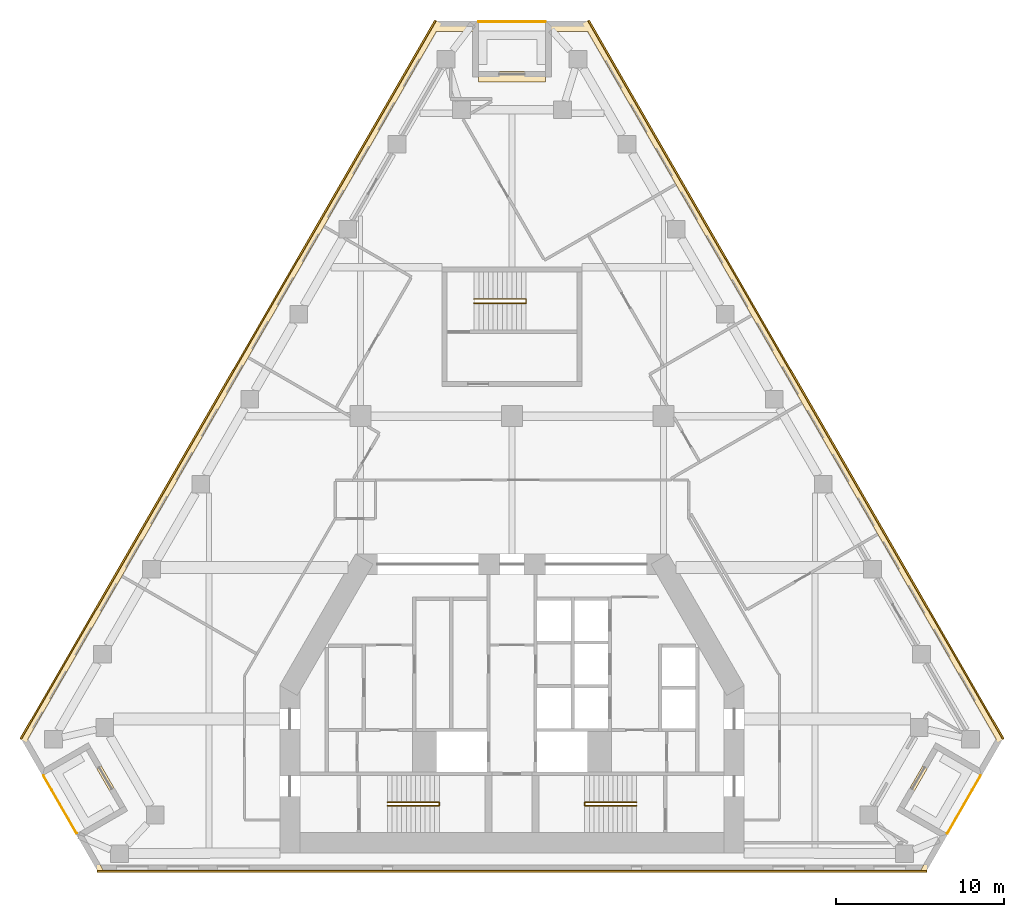
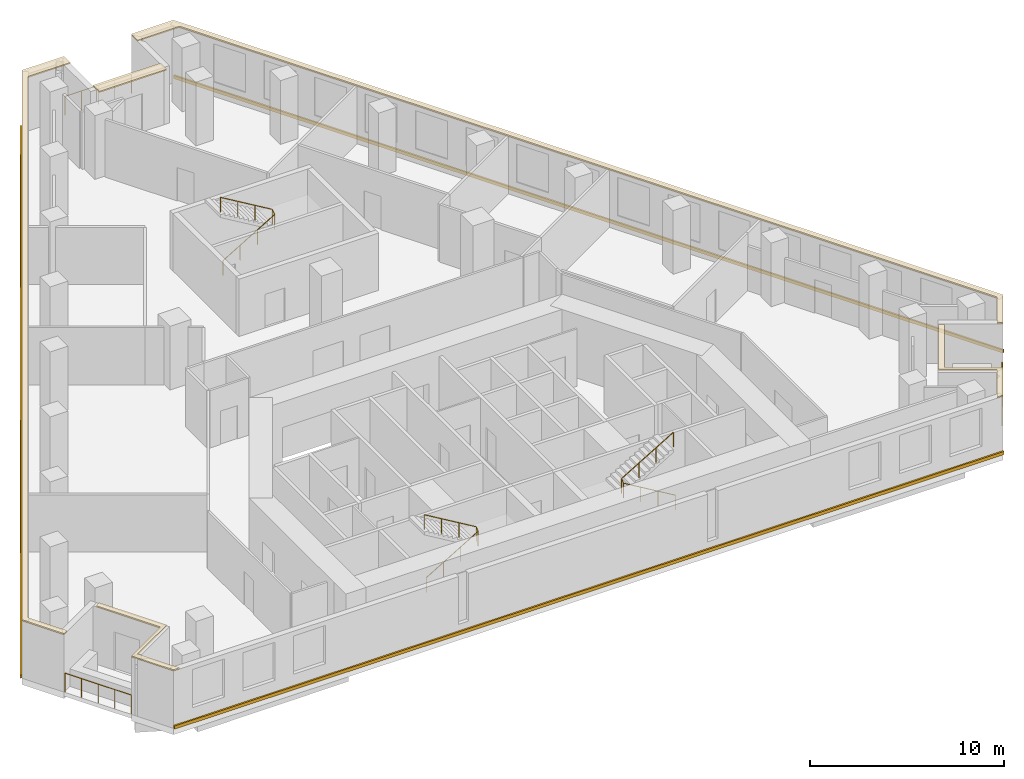
# One storey, part 9 of 9: 8 coverings, 6 railings.
"""IFC4 building model written with IfcOpenShell, lengths in metres."""

import ifcopenshell
import ifcopenshell.guid

model = None  # the IFC model being written
_history = None  # IfcOwnerHistory: only IFC2X3 demands one
_inside = {}  # id of a spatial element -> (the spatial element, [elements in it])
_under = {}  # id of a project, library or spatial element -> (it, [spatial elements below it])
_declared = {}  # id of a project -> (the project, [libraries it declares])
_typed = {}  # id of a type object -> (the type object, [elements of that type])
_made_of = {}  # id of a material, layer set ... -> (it, [elements and type objects made of it])


def new_model(schema):
    """Start an empty IFC model of exactly this schema.

    Asked for "IFC4X3", IfcOpenShell would pick the latest addendum, in which some entities
    have other attributes; the version numbers below select the first issue.
    IFC2X3 requires an IfcOwnerHistory on every rooted entity: one is made here for all.
    """
    global model, _history
    if schema == "IFC4X3":
        model = ifcopenshell.file(schema_version=(4, 3, 0, 0))
    else:
        model = ifcopenshell.file(schema=schema)
    _inside.clear()
    _under.clear()
    _declared.clear()
    _typed.clear()
    _made_of.clear()
    _history = None
    if model.schema == "IFC2X3":
        org = make("IfcOrganization", Name="unknown")
        user = make(
            "IfcPersonAndOrganization",
            ThePerson=make("IfcPerson", FamilyName="unknown"),
            TheOrganization=org,
        )
        app = make(
            "IfcApplication",
            ApplicationDeveloper=org,
            Version="unknown",
            ApplicationFullName="unknown",
            ApplicationIdentifier="unknown",
        )
        _history = make(
            "IfcOwnerHistory",
            OwningUser=user,
            OwningApplication=app,
            ChangeAction="ADDED",
            CreationDate=0,
        )
    return model


def make(cls, **values):
    """One entity of the class cls with the attributes given. An attribute that is None is left unset."""
    return model.create_entity(
        cls, **{name: value for name, value in values.items() if value is not None}
    )


def rooted(cls, **values):
    """An entity with a GlobalId (a new one), such as an element, a storey or a relation."""
    return make(cls, GlobalId=ifcopenshell.guid.new(), OwnerHistory=_history, **values)


def si_unit(unit_type, name, prefix=None):
    """IfcSIUnit, for example si_unit("LENGTHUNIT", "METRE", prefix="MILLI")."""
    return make("IfcSIUnit", UnitType=unit_type, Prefix=prefix, Name=name)


def assignment(units):
    """IfcUnitAssignment: the units of a project."""
    return None if units is None else make("IfcUnitAssignment", Units=units)


def point(xyz):
    """IfcCartesianPoint."""
    return None if xyz is None else make("IfcCartesianPoint", Coordinates=xyz)


def direction(xyz):
    """IfcDirection."""
    return None if xyz is None else make("IfcDirection", DirectionRatios=xyz)


def frame(location, z_axis=None, x_axis=None):
    """IfcAxis2Placement3D, a coordinate frame: its origin and axes. An axis left out is left unset."""
    return make(
        "IfcAxis2Placement3D",
        Location=point(location),
        Axis=direction(z_axis),
        RefDirection=direction(x_axis),
    )


def frame_2d(location, x_axis=None):
    """IfcAxis2Placement2D, a coordinate frame in the plane: its origin and x axis."""
    return make(
        "IfcAxis2Placement2D", Location=point(location), RefDirection=direction(x_axis)
    )


def origin():
    """The frame at (0, 0, 0) with its axes left unset."""
    return frame((0.0, 0.0, 0.0))


def origin_2d():
    """The frame at (0, 0) in the plane with its x axis left unset."""
    return frame_2d((0.0, 0.0))


def place(relative_to, where):
    """IfcLocalPlacement: puts the frame where relative to a parent placement (None: the world)."""
    return make(
        "IfcLocalPlacement", PlacementRelTo=relative_to, RelativePlacement=where
    )


def context(
    kind, dimensions, precision=None, world=None, true_north=None, identifier=None
):
    """IfcGeometricRepresentationContext, for example the 3D "Model" context."""
    return make(
        "IfcGeometricRepresentationContext",
        ContextIdentifier=identifier,
        ContextType=kind,
        CoordinateSpaceDimension=dimensions,
        Precision=precision,
        WorldCoordinateSystem=world,
        TrueNorth=true_north,
    )


def subcontext(parent, identifier, kind, view, scale=None):
    """IfcGeometricRepresentationSubContext, for example "Body" below "Model"."""
    return make(
        "IfcGeometricRepresentationSubContext",
        ContextIdentifier=identifier,
        ContextType=kind,
        ParentContext=parent,
        TargetScale=scale,
        TargetView=view,
    )


def project(units=None, contexts=None):
    """IfcProject with its units and contexts."""
    return rooted(
        "IfcProject",
        Name="project",
        RepresentationContexts=contexts,
        UnitsInContext=assignment(units),
    )


def spatial(cls, under=None, at=None, **own):
    """A site, building, storey or space (cls), placed at a placement, below another one or the project."""
    s = rooted(cls, ObjectPlacement=at, **own)
    if under is not None:
        _under.setdefault(under.id(), (under, []))[1].append(s)
    return s


def polyline(points):
    """IfcPolyline through the points."""
    return make("IfcPolyline", Points=[point(p) for p in points])


def profile(cls, at=None, kind="AREA", **sizes):
    """A parametric profile (cls). Its sizes go by their IFC names, for example OverallWidth=200.0."""
    return make(cls, ProfileType=kind, Position=at, **sizes)


def circle(**sizes):
    """IfcCircleProfileDef."""
    return profile("IfcCircleProfileDef", **sizes)


def outline(outer, holes=None, kind="AREA"):
    """IfcArbitraryClosedProfileDef: a profile drawn as a closed curve; with holes, ...WithVoids."""
    if holes is None:
        return make("IfcArbitraryClosedProfileDef", ProfileType=kind, OuterCurve=outer)
    return make(
        "IfcArbitraryProfileDefWithVoids",
        ProfileType=kind,
        OuterCurve=outer,
        InnerCurves=holes,
    )


def extrude(swept, where, along, depth):
    """IfcExtrudedAreaSolid: the profile swept, set in the frame where, extruded along a direction by depth."""
    return make(
        "IfcExtrudedAreaSolid",
        SweptArea=swept,
        Position=where,
        ExtrudedDirection=direction(along),
        Depth=depth,
    )


def shape(context_of_items, identifier, shape_type, items):
    """IfcShapeRepresentation: the items that make up one representation, for example the "Body"."""
    return make(
        "IfcShapeRepresentation",
        ContextOfItems=context_of_items,
        RepresentationIdentifier=identifier,
        RepresentationType=shape_type,
        Items=items,
    )


def material(Name=None, Category=None):
    """IfcMaterial."""
    return make("IfcMaterial", Name=Name, Category=Category)


def layer(
    of_material, thickness, ventilated=None, Name=None, Category=None, Priority=None
):
    """IfcMaterialLayer: one layer of a wall or slab, of a material (None: an air gap)."""
    return make(
        "IfcMaterialLayer",
        Material=of_material,
        LayerThickness=thickness,
        IsVentilated=ventilated,
        Name=Name,
        Category=Category,
        Priority=Priority,
    )


def layer_set(layers, Name=None):
    """IfcMaterialLayerSet."""
    return make("IfcMaterialLayerSet", MaterialLayers=layers, LayerSetName=Name)


def made_of(thing, what):
    """Note that an element or type object is made of a material, layer set ...; save() writes the relation."""
    if what is not None:
        _made_of.setdefault(what.id(), (what, []))[1].append(thing)
    return thing


def type_object(cls, material=None, **own):
    """A type object (cls), such as IfcWallType, which elements share."""
    return made_of(rooted(cls, **own), material)


def element(
    cls,
    number,
    at=None,
    inside=None,
    cuts=None,
    type_object=None,
    material=None,
    context=None,
    identifier="Body",
    shape_type=None,
    held_by="IfcProductDefinitionShape",
    body=None,
    shapes=None,
    **own,
):
    """One element of the class cls, such as IfcWall. Its Tag is "e" and its number.

    at: its placement. inside: the storey or other place that contains it. cuts: it is an
    opening in that element (IfcRelVoidsElement). A single representation is given by context,
    identifier, shape_type and body (its items); several are given by shapes. held_by: the class
    of the entity that holds the representations. save() writes the other relations.
    """
    e = rooted(cls, Tag="e%d" % number, ObjectPlacement=at, **own)
    if body is not None:
        shapes = [shape(context, identifier, shape_type, body)]
    if shapes is not None:
        e.Representation = make(held_by, Representations=shapes)
    if inside is not None:
        _inside.setdefault(inside.id(), (inside, []))[1].append(e)
    if cuts is not None:
        rooted(
            "IfcRelVoidsElement", RelatingBuildingElement=cuts, RelatedOpeningElement=e
        )
    if type_object is not None:
        _typed.setdefault(type_object.id(), (type_object, []))[1].append(e)
    return made_of(e, material)


def aggregate(whole, parts):
    """IfcRelAggregates: a whole, such as a stair, and the parts it consists of."""
    return rooted("IfcRelAggregates", RelatingObject=whole, RelatedObjects=parts)


def save(model, path):
    """Write the relations noted so far, then the file.

    IfcRelAggregates (storeys below a building ...), IfcRelContainedInSpatialStructure (elements
    in a storey), IfcRelDefinesByType, IfcRelAssociatesMaterial and IfcRelDeclares: one each for
    every whole, place, type object, material and project.
    """
    for whole, parts in _under.values():
        aggregate(whole, parts)
    for where, things in _inside.values():
        rooted(
            "IfcRelContainedInSpatialStructure",
            RelatedElements=things,
            RelatingStructure=where,
        )
    for kind, things in _typed.values():
        rooted("IfcRelDefinesByType", RelatedObjects=things, RelatingType=kind)
    for what, things in _made_of.values():
        rooted("IfcRelAssociatesMaterial", RelatedObjects=things, RelatingMaterial=what)
    for by, libraries in _declared.values():
        rooted("IfcRelDeclares", RelatingContext=by, RelatedDefinitions=libraries)
    model.write(path)


model = new_model("IFC4")

# Units and contexts
model_context = context("Model", 3, precision=1e-05, world=origin(), true_north=direction((0.0, 1.0)))
body_context = subcontext(model_context, "Body", "Model", "MODEL_VIEW")
ifc_project = project(units=[si_unit("LENGTHUNIT", "METRE"), si_unit("AREAUNIT", "SQUARE_METRE"), si_unit("VOLUMEUNIT", "CUBIC_METRE"), si_unit("PLANEANGLEUNIT", "RADIAN"), si_unit("MASSUNIT", "GRAM", prefix="KILO")], contexts=[model_context])

# Site, building, storey
site_placement = place(None, origin())
site = spatial("IfcSite", under=ifc_project, at=site_placement, CompositionType="ELEMENT")
building_placement = place(site_placement, origin())
building = spatial("IfcBuilding", under=site, at=building_placement, Name="Fogline Exchange Tower", CompositionType="ELEMENT")
storey_placement = place(building_placement, frame((0.0, 0.0, 150.89990234375)))
storey = spatial("IfcBuildingStorey", under=building, at=storey_placement, Name="L33", CompositionType="ELEMENT", Elevation=150.89990234375)

# Coverings
ifc_material_1 = material(Name="Granite", Category="masonry")
ifc_layer = layer(ifc_material_1, 0.080078125)
ifc_layer_set = layer_set([ifc_layer], Name="CP1")
covering_type_1 = type_object("IfcCoveringType", Name="CP1", PredefinedType="USERDEFINED", material=ifc_layer_set)
covering_1_placement = place(storey_placement, frame((0.0, 0.0, 3.60009765625)))
element("IfcCovering", 1, at=covering_1_placement, inside=storey, type_object=covering_type_1, Name="Ledge coping L33", ObjectType="COPING", PredefinedType="USERDEFINED", context=body_context, shape_type="SweptSolid", body=[
    extrude(outline(polyline([(-27.8984375, 5.629150390625), (-27.619140625, 5.790283203125), (-28.776123046875, 7.794189453125), (-4.5, 49.841796875), (-2.0, 49.841796875), (-2.0, 50.48681640625), (-4.5, 50.48681640625), (-29.1484375, 7.794189453125), (-27.8984375, 5.629150390625)])), origin(), (0.0, 0.0, 1.0), 0.080078125),
])
covering_2_placement = place(storey_placement, frame((0.0, 0.0, 3.60009765625)))
element("IfcCovering", 2, at=covering_2_placement, inside=storey, type_object=covering_type_1, Name="Ledge coping L33", ObjectType="COPING", PredefinedType="USERDEFINED", context=body_context, shape_type="SweptSolid", body=[
    extrude(outline(polyline([(-24.6484375, 0.0), (-24.276123046875, 0.0), (-25.526123046875, 2.1650390625), (-22.927978515625, 3.6650390625), (-24.927978515625, 7.129150390625), (-25.207275390625, 6.968017578125), (-23.30029296875, 3.6650390625), (-25.8984375, 2.1650390625), (-24.6484375, 0.0)])), origin(), (0.0, 0.0, 1.0), 0.080078125),
])
covering_3_placement = place(storey_placement, frame((0.0, 0.0, 3.60009765625)))
element("IfcCovering", 3, at=covering_3_placement, inside=storey, type_object=covering_type_1, Name="Ledge coping L33", ObjectType="COPING", PredefinedType="USERDEFINED", context=body_context, shape_type="SweptSolid", body=[
    extrude(outline(polyline([(23.30029296875, 3.6650390625), (25.207275390625, 6.968017578125), (24.927978515625, 7.129150390625), (22.927978515625, 3.6650390625), (25.526123046875, 2.1650390625), (24.276123046875, 0.0), (24.6484375, 0.0), (25.8984375, 2.1650390625), (23.30029296875, 3.6650390625)])), origin(), (0.0, 0.0, 1.0), 0.080078125),
])
covering_4_placement = place(storey_placement, frame((0.0, 0.0, 3.60009765625)))
element("IfcCovering", 4, at=covering_4_placement, inside=storey, type_object=covering_type_1, Name="Ledge coping L33", ObjectType="COPING", PredefinedType="USERDEFINED", context=body_context, shape_type="SweptSolid", body=[
    extrude(outline(polyline([(2.0, 50.48681640625), (2.0, 49.841796875), (4.5, 49.841796875), (28.776123046875, 7.794189453125), (27.619140625, 5.790283203125), (27.8984375, 5.629150390625), (29.1484375, 7.794189453125), (4.5, 50.48681640625), (2.0, 50.48681640625)])), origin(), (0.0, 0.0, 1.0), 0.080078125),
])
covering_5_placement = place(storey_placement, frame((0.0, 0.0, 3.60009765625)))
element("IfcCovering", 5, at=covering_5_placement, inside=storey, type_object=covering_type_1, Name="Ledge coping L33", ObjectType="COPING", PredefinedType="USERDEFINED", context=body_context, shape_type="SweptSolid", body=[
    extrude(outline(polyline([(2.0, 47.48681640625), (-2.0, 47.48681640625), (-2.0, 46.841796875), (2.0, 46.841796875), (2.0, 47.48681640625)])), origin(), (0.0, 0.0, 1.0), 0.080078125),
])

# Railings
ifc_material_2 = material(Name="Stainless steel 304", Category="steel")
railing_type_1 = type_object("IfcRailingType", Name="G1", PredefinedType="GUARDRAIL", material=ifc_material_2)
railing_1_placement = place(storey_placement, frame((-27.8447265625, 5.635986328125, 0.0)))
element("IfcRailing", 6, at=railing_1_placement, inside=storey, type_object=railing_type_1, Name="Balcony guard L33 SW", PredefinedType="GUARDRAIL", context=body_context, shape_type="SweptSolid", body=[
    extrude(circle(Radius=0.02392578125, at=origin_2d()), frame((0.0, 0.0, 1.17578125), z_axis=(0.500000102728, -0.866025344474, 0.0), x_axis=(0.866025344474, 0.500000102728, 0.0)), (0.0, 0.0, 1.0), 3.9580078125),
    extrude(circle(Radius=0.02099609375, at=origin_2d()), origin(), (0.0, 0.0, 1.0), 1.15185546875),
    extrude(circle(Radius=0.02099609375, at=origin_2d()), frame((0.49462890625, -0.85693359375, 0.0)), (0.0, 0.0, 1.0), 1.15185546875),
    extrude(circle(Radius=0.02099609375, at=origin_2d()), frame((0.989501953125, -1.7138671875, 0.0)), (0.0, 0.0, 1.0), 1.15185546875),
    extrude(circle(Radius=0.02099609375, at=origin_2d()), frame((1.484375, -2.57080078125, 0.0)), (0.0, 0.0, 1.0), 1.15185546875),
    extrude(circle(Radius=0.02099609375, at=origin_2d()), frame((1.97900390625, -3.427734375, 0.0)), (0.0, 0.0, 1.0), 1.15185546875),
])
railing_2_placement = place(storey_placement, frame((25.86572265625, 2.208251953125, 0.0)))
element("IfcRailing", 7, at=railing_2_placement, inside=storey, type_object=railing_type_1, Name="Balcony guard L33 SE", PredefinedType="GUARDRAIL", context=body_context, shape_type="SweptSolid", body=[
    extrude(circle(Radius=0.02392578125, at=origin_2d()), frame((0.0, 0.0, 1.17578125), z_axis=(0.500000102728, 0.866025344474, 0.0), x_axis=(-0.866025344474, 0.500000102728, 0.0)), (0.0, 0.0, 1.0), 3.9580078125),
    extrude(circle(Radius=0.02099609375, at=origin_2d()), origin(), (0.0, 0.0, 1.0), 1.15185546875),
    extrude(circle(Radius=0.02099609375, at=origin_2d()), frame((0.49462890625, 0.85693359375, 0.0)), (0.0, 0.0, 1.0), 1.15185546875),
    extrude(circle(Radius=0.02099609375, at=origin_2d()), frame((0.989501953125, 1.7138671875, 0.0)), (0.0, 0.0, 1.0), 1.15185546875),
    extrude(circle(Radius=0.02099609375, at=origin_2d()), frame((1.484375, 2.57080078125, 0.0)), (0.0, 0.0, 1.0), 1.15185546875),
    extrude(circle(Radius=0.02099609375, at=origin_2d()), frame((1.97900390625, 3.427734375, 0.0)), (0.0, 0.0, 1.0), 1.15185546875),
])
railing_3_placement = place(storey_placement, frame((1.97900390625, 50.436767578125, 0.0)))
element("IfcRailing", 8, at=railing_3_placement, inside=storey, type_object=railing_type_1, Name="Balcony guard L33 N", PredefinedType="GUARDRAIL", context=body_context, shape_type="SweptSolid", body=[
    extrude(circle(Radius=0.02392578125, at=origin_2d()), frame((0.0, 0.0, 1.17578125), z_axis=(-1.0, 0.0, 0.0), x_axis=(0.0, -1.0, 0.0)), (0.0, 0.0, 1.0), 3.9580078125),
    extrude(circle(Radius=0.02099609375, at=origin_2d()), origin(), (0.0, 0.0, 1.0), 1.15185546875),
    extrude(circle(Radius=0.02099609375, at=origin_2d()), frame((-0.989501953125, 0.0, 0.0)), (0.0, 0.0, 1.0), 1.15185546875),
    extrude(circle(Radius=0.02099609375, at=origin_2d()), frame((-1.97900390625, 0.0, 0.0)), (0.0, 0.0, 1.0), 1.15185546875),
    extrude(circle(Radius=0.02099609375, at=origin_2d()), frame((-2.968505859375, 0.0, 0.0)), (0.0, 0.0, 1.0), 1.15185546875),
    extrude(circle(Radius=0.02099609375, at=origin_2d()), frame((-3.9580078125, 0.0, 0.0)), (0.0, 0.0, 1.0), 1.15185546875),
])
ifc_material_3 = material(Name="Steel Q235B", Category="steel")
railing_type_2 = type_object("IfcRailingType", Name="RL-HR", PredefinedType="HANDRAIL", material=ifc_material_3)
railing_4_placement = place(storey_placement, frame((-7.39990234375, 3.85009765625, 0.166748046875)))
element("IfcRailing", 9, at=railing_4_placement, inside=storey, type_object=railing_type_2, Name="Handrail ST1", PredefinedType="HANDRAIL", context=body_context, shape_type="SweptSolid", body=[
    extrude(circle(Radius=0.02392578125, at=origin_2d()), frame((0.0, 0.0, 0.92578125), z_axis=(0.859290745958, 0.0, 0.51148745235), x_axis=(0.0, 1.0, 0.0)), (0.0, 0.0, 1.0), 3.584228515625),
    extrude(circle(Radius=0.02392578125, at=origin_2d()), frame((3.079833984375, 0.0, 2.75927734375), z_axis=(0.0, 0.767990643491, 0.640461061666), x_axis=(-1.0, 0.0, 0.0)), (0.0, 0.0, 1.0), 0.26025390625),
    extrude(circle(Radius=0.02392578125, at=origin_2d()), frame((3.079833984375, 0.199951171875, 2.92578125), z_axis=(-0.859290745958, 0.0, 0.51148745235), x_axis=(0.0, -1.0, 0.0)), (0.0, 0.0, 1.0), 3.584228515625),
    extrude(circle(Radius=0.02099609375, at=origin_2d()), origin(), (0.0, 0.0, 1.0), 0.90185546875),
    extrude(circle(Radius=0.02099609375, at=origin_2d()), frame((1.026611328125, 0.0, 0.611083984375)), (0.0, 0.0, 1.0), 0.90185546875),
    extrude(circle(Radius=0.02099609375, at=origin_2d()), frame((2.05322265625, 0.0, 1.22216796875)), (0.0, 0.0, 1.0), 0.90185546875),
    extrude(circle(Radius=0.02099609375, at=origin_2d()), frame((3.079833984375, 0.0, 1.833251953125)), (0.0, 0.0, 1.0), 0.90185546875),
    extrude(circle(Radius=0.02099609375, at=origin_2d()), frame((3.079833984375, 0.199951171875, 2.0)), (0.0, 0.0, 1.0), 0.90185546875),
    extrude(circle(Radius=0.02099609375, at=origin_2d()), frame((2.05322265625, 0.199951171875, 2.611083984375)), (0.0, 0.0, 1.0), 0.90185546875),
    extrude(circle(Radius=0.02099609375, at=origin_2d()), frame((1.026611328125, 0.199951171875, 3.22216796875)), (0.0, 0.0, 1.0), 0.90185546875),
    extrude(circle(Radius=0.02099609375, at=origin_2d()), frame((0.0, 0.199951171875, 3.833251953125)), (0.0, 0.0, 1.0), 0.90185546875),
])
railing_5_placement = place(storey_placement, frame((7.39990234375, 3.85009765625, 0.166748046875)))
element("IfcRailing", 10, at=railing_5_placement, inside=storey, type_object=railing_type_2, Name="Handrail ST2", PredefinedType="HANDRAIL", context=body_context, shape_type="SweptSolid", body=[
    extrude(circle(Radius=0.02392578125, at=origin_2d()), frame((0.0, 0.0, 0.92578125), z_axis=(-0.859290745958, 0.0, 0.51148745235), x_axis=(0.0, -1.0, 0.0)), (0.0, 0.0, 1.0), 3.584228515625),
    extrude(circle(Radius=0.02392578125, at=origin_2d()), frame((-3.079833984375, 0.0, 2.75927734375), z_axis=(0.0, 0.767990643491, 0.640461061666), x_axis=(-1.0, 0.0, 0.0)), (0.0, 0.0, 1.0), 0.26025390625),
    extrude(circle(Radius=0.02392578125, at=origin_2d()), frame((-3.079833984375, 0.199951171875, 2.92578125), z_axis=(0.859290745958, 0.0, 0.51148745235), x_axis=(0.0, 1.0, 0.0)), (0.0, 0.0, 1.0), 3.584228515625),
    extrude(circle(Radius=0.02099609375, at=origin_2d()), origin(), (0.0, 0.0, 1.0), 0.90185546875),
    extrude(circle(Radius=0.02099609375, at=origin_2d()), frame((-1.026611328125, 0.0, 0.611083984375)), (0.0, 0.0, 1.0), 0.90185546875),
    extrude(circle(Radius=0.02099609375, at=origin_2d()), frame((-2.05322265625, 0.0, 1.22216796875)), (0.0, 0.0, 1.0), 0.90185546875),
    extrude(circle(Radius=0.02099609375, at=origin_2d()), frame((-3.079833984375, 0.0, 1.833251953125)), (0.0, 0.0, 1.0), 0.90185546875),
    extrude(circle(Radius=0.02099609375, at=origin_2d()), frame((-3.079833984375, 0.199951171875, 2.0)), (0.0, 0.0, 1.0), 0.90185546875),
    extrude(circle(Radius=0.02099609375, at=origin_2d()), frame((-2.05322265625, 0.199951171875, 2.611083984375)), (0.0, 0.0, 1.0), 0.90185546875),
    extrude(circle(Radius=0.02099609375, at=origin_2d()), frame((-1.026611328125, 0.199951171875, 3.22216796875)), (0.0, 0.0, 1.0), 0.90185546875),
    extrude(circle(Radius=0.02099609375, at=origin_2d()), frame((0.0, 0.199951171875, 3.833251953125)), (0.0, 0.0, 1.0), 0.90185546875),
])
railing_6_placement = place(storey_placement, frame((-2.25, 33.70703125, 0.166748046875)))
element("IfcRailing", 11, at=railing_6_placement, inside=storey, type_object=railing_type_2, Name="Handrail ST3", PredefinedType="HANDRAIL", context=body_context, shape_type="SweptSolid", body=[
    extrude(circle(Radius=0.02392578125, at=origin_2d()), frame((0.0, 0.0, 0.92578125), z_axis=(0.859308565015, 0.0, 0.511457515432), x_axis=(0.0, 1.0, 0.0)), (0.0, 0.0, 1.0), 3.58447265625),
    extrude(circle(Radius=0.02392578125, at=origin_2d()), frame((3.080078125, 0.0, 2.75927734375), z_axis=(0.0, 0.831925284441, 0.554887665306), x_axis=(-1.0, 0.0, 0.0)), (0.0, 0.0, 1.0), 0.300537109375),
    extrude(circle(Radius=0.02392578125, at=origin_2d()), frame((3.080078125, 0.25, 2.92578125), z_axis=(-0.859308565015, 0.0, 0.511457515432), x_axis=(0.0, -1.0, 0.0)), (0.0, 0.0, 1.0), 3.58447265625),
    extrude(circle(Radius=0.02099609375, at=origin_2d()), origin(), (0.0, 0.0, 1.0), 0.90185546875),
    extrude(circle(Radius=0.02099609375, at=origin_2d()), frame((1.026611328125, 0.0, 0.611083984375)), (0.0, 0.0, 1.0), 0.90185546875),
    extrude(circle(Radius=0.02099609375, at=origin_2d()), frame((2.053466796875, 0.0, 1.22216796875)), (0.0, 0.0, 1.0), 0.90185546875),
    extrude(circle(Radius=0.02099609375, at=origin_2d()), frame((3.080078125, 0.0, 1.833251953125)), (0.0, 0.0, 1.0), 0.90185546875),
    extrude(circle(Radius=0.02099609375, at=origin_2d()), frame((3.080078125, 0.25, 2.0)), (0.0, 0.0, 1.0), 0.90185546875),
    extrude(circle(Radius=0.02099609375, at=origin_2d()), frame((2.053466796875, 0.25, 2.611083984375)), (0.0, 0.0, 1.0), 0.90185546875),
    extrude(circle(Radius=0.02099609375, at=origin_2d()), frame((1.026611328125, 0.25, 3.22216796875)), (0.0, 0.0, 1.0), 0.90185546875),
    extrude(circle(Radius=0.02099609375, at=origin_2d()), frame((0.0, 0.25, 3.833251953125)), (0.0, 0.0, 1.0), 0.90185546875),
])

# Coverings
ifc_material_4 = material(Name="Brick masonry", Category="masonry")
covering_type_2 = type_object("IfcCoveringType", Name="SB1", PredefinedType="CLADDING", material=ifc_material_4)
covering_6_placement = place(storey_placement, origin())
element("IfcCovering", 12, at=covering_6_placement, inside=storey, type_object=covering_type_2, Name="Stringcourse band L33 S", PredefinedType="CLADDING", context=body_context, shape_type="SweptSolid", body=[
    extrude(outline(polyline([(-24.6484375, 0.0), (-24.6484375, -0.10009765625), (24.6484375, -0.10009765625), (24.6484375, 0.0), (-24.6484375, 0.0)])), origin(), (0.0, 0.0, 1.0), 0.2001953125),
])
covering_7_placement = place(storey_placement, origin())
element("IfcCovering", 13, at=covering_7_placement, inside=storey, type_object=covering_type_2, Name="Stringcourse band L33 E", PredefinedType="CLADDING", context=body_context, shape_type="SweptSolid", body=[
    extrude(outline(polyline([(29.1484375, 7.794189453125), (29.235107421875, 7.84423828125), (4.586669921875, 50.53662109375), (4.5, 50.48681640625), (29.1484375, 7.794189453125)])), origin(), (0.0, 0.0, 1.0), 0.2001953125),
])
covering_8_placement = place(storey_placement, origin())
element("IfcCovering", 14, at=covering_8_placement, inside=storey, type_object=covering_type_2, Name="Stringcourse band L33 W", PredefinedType="CLADDING", context=body_context, shape_type="SweptSolid", body=[
    extrude(outline(polyline([(-4.5, 50.48681640625), (-4.586669921875, 50.53662109375), (-29.235107421875, 7.84423828125), (-29.1484375, 7.794189453125), (-4.5, 50.48681640625)])), origin(), (0.0, 0.0, 1.0), 0.2001953125),
])

save(model, "model.ifc")
